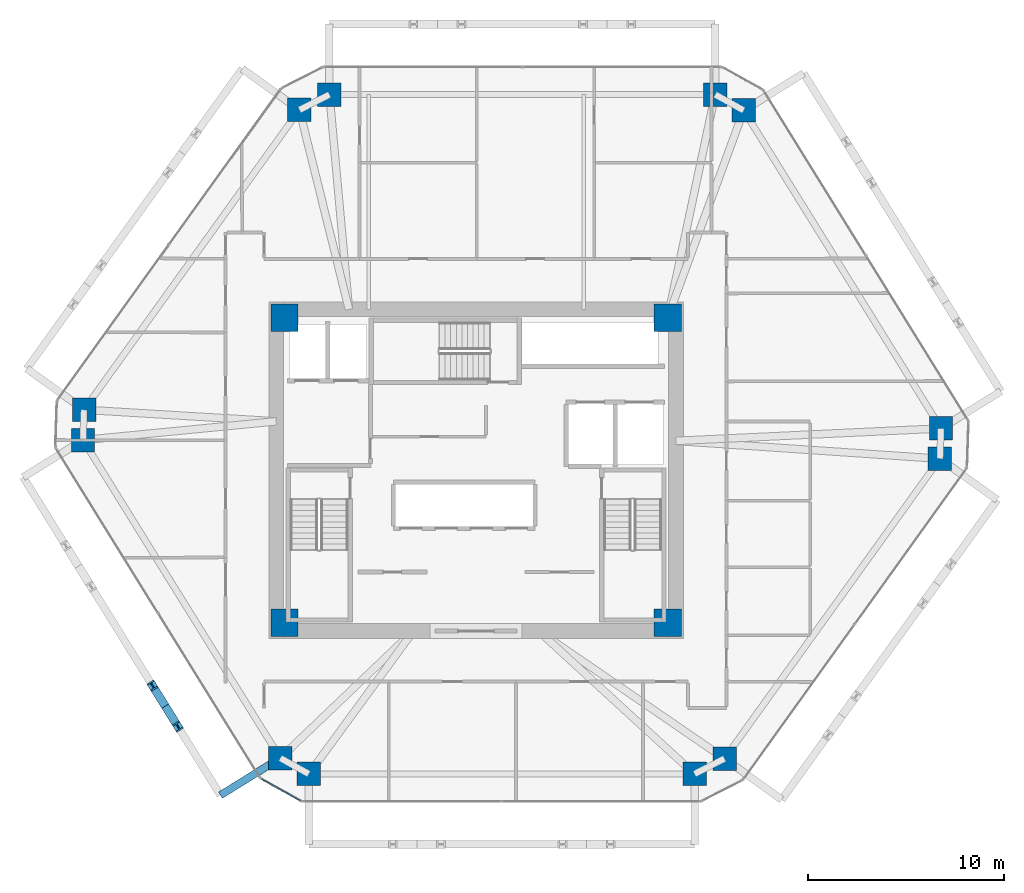
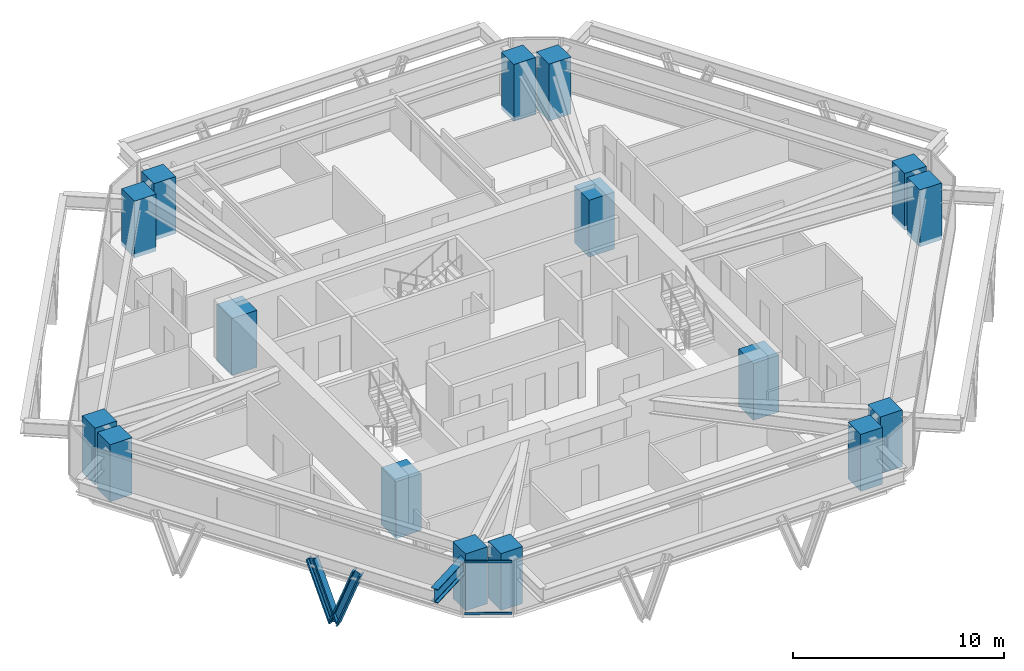
# One storey, part 1 of 14: 16 columns, 4 members, 1 beam, 1 element without a shape of its own.
"""IFC4 building model written with IfcOpenShell, lengths in metres."""

import ifcopenshell
import ifcopenshell.guid

model = None  # the IFC model being written
_history = None  # IfcOwnerHistory: only IFC2X3 demands one
_inside = {}  # id of a spatial element -> (the spatial element, [elements in it])
_under = {}  # id of a project, library or spatial element -> (it, [spatial elements below it])
_declared = {}  # id of a project -> (the project, [libraries it declares])
_typed = {}  # id of a type object -> (the type object, [elements of that type])
_made_of = {}  # id of a material, layer set ... -> (it, [elements and type objects made of it])


def new_model(schema):
    """Start an empty IFC model of exactly this schema.

    Asked for "IFC4X3", IfcOpenShell would pick the latest addendum, in which some entities
    have other attributes; the version numbers below select the first issue.
    IFC2X3 requires an IfcOwnerHistory on every rooted entity: one is made here for all.
    """
    global model, _history
    if schema == "IFC4X3":
        model = ifcopenshell.file(schema_version=(4, 3, 0, 0))
    else:
        model = ifcopenshell.file(schema=schema)
    _inside.clear()
    _under.clear()
    _declared.clear()
    _typed.clear()
    _made_of.clear()
    _history = None
    if model.schema == "IFC2X3":
        org = make("IfcOrganization", Name="unknown")
        user = make(
            "IfcPersonAndOrganization",
            ThePerson=make("IfcPerson", FamilyName="unknown"),
            TheOrganization=org,
        )
        app = make(
            "IfcApplication",
            ApplicationDeveloper=org,
            Version="unknown",
            ApplicationFullName="unknown",
            ApplicationIdentifier="unknown",
        )
        _history = make(
            "IfcOwnerHistory",
            OwningUser=user,
            OwningApplication=app,
            ChangeAction="ADDED",
            CreationDate=0,
        )
    return model


def make(cls, **values):
    """One entity of the class cls with the attributes given. An attribute that is None is left unset."""
    return model.create_entity(
        cls, **{name: value for name, value in values.items() if value is not None}
    )


def rooted(cls, **values):
    """An entity with a GlobalId (a new one), such as an element, a storey or a relation."""
    return make(cls, GlobalId=ifcopenshell.guid.new(), OwnerHistory=_history, **values)


def si_unit(unit_type, name, prefix=None):
    """IfcSIUnit, for example si_unit("LENGTHUNIT", "METRE", prefix="MILLI")."""
    return make("IfcSIUnit", UnitType=unit_type, Prefix=prefix, Name=name)


def assignment(units):
    """IfcUnitAssignment: the units of a project."""
    return None if units is None else make("IfcUnitAssignment", Units=units)


def point(xyz):
    """IfcCartesianPoint."""
    return None if xyz is None else make("IfcCartesianPoint", Coordinates=xyz)


def direction(xyz):
    """IfcDirection."""
    return None if xyz is None else make("IfcDirection", DirectionRatios=xyz)


def frame(location, z_axis=None, x_axis=None):
    """IfcAxis2Placement3D, a coordinate frame: its origin and axes. An axis left out is left unset."""
    return make(
        "IfcAxis2Placement3D",
        Location=point(location),
        Axis=direction(z_axis),
        RefDirection=direction(x_axis),
    )


def frame_2d(location, x_axis=None):
    """IfcAxis2Placement2D, a coordinate frame in the plane: its origin and x axis."""
    return make(
        "IfcAxis2Placement2D", Location=point(location), RefDirection=direction(x_axis)
    )


def origin():
    """The frame at (0, 0, 0) with its axes left unset."""
    return frame((0.0, 0.0, 0.0))


def origin_2d():
    """The frame at (0, 0) in the plane with its x axis left unset."""
    return frame_2d((0.0, 0.0))


def place(relative_to, where):
    """IfcLocalPlacement: puts the frame where relative to a parent placement (None: the world)."""
    return make(
        "IfcLocalPlacement", PlacementRelTo=relative_to, RelativePlacement=where
    )


def context(
    kind, dimensions, precision=None, world=None, true_north=None, identifier=None
):
    """IfcGeometricRepresentationContext, for example the 3D "Model" context."""
    return make(
        "IfcGeometricRepresentationContext",
        ContextIdentifier=identifier,
        ContextType=kind,
        CoordinateSpaceDimension=dimensions,
        Precision=precision,
        WorldCoordinateSystem=world,
        TrueNorth=true_north,
    )


def subcontext(parent, identifier, kind, view, scale=None):
    """IfcGeometricRepresentationSubContext, for example "Body" below "Model"."""
    return make(
        "IfcGeometricRepresentationSubContext",
        ContextIdentifier=identifier,
        ContextType=kind,
        ParentContext=parent,
        TargetScale=scale,
        TargetView=view,
    )


def project(units=None, contexts=None):
    """IfcProject with its units and contexts."""
    return rooted(
        "IfcProject",
        Name="project",
        RepresentationContexts=contexts,
        UnitsInContext=assignment(units),
    )


def spatial(cls, under=None, at=None, **own):
    """A site, building, storey or space (cls), placed at a placement, below another one or the project."""
    s = rooted(cls, ObjectPlacement=at, **own)
    if under is not None:
        _under.setdefault(under.id(), (under, []))[1].append(s)
    return s


def profile(cls, at=None, kind="AREA", **sizes):
    """A parametric profile (cls). Its sizes go by their IFC names, for example OverallWidth=200.0."""
    return make(cls, ProfileType=kind, Position=at, **sizes)


def rectangle(**sizes):
    """IfcRectangleProfileDef."""
    return profile("IfcRectangleProfileDef", **sizes)


def i_section(**sizes):
    """IfcIShapeProfileDef."""
    return profile("IfcIShapeProfileDef", **sizes)


def extrude(swept, where, along, depth):
    """IfcExtrudedAreaSolid: the profile swept, set in the frame where, extruded along a direction by depth."""
    return make(
        "IfcExtrudedAreaSolid",
        SweptArea=swept,
        Position=where,
        ExtrudedDirection=direction(along),
        Depth=depth,
    )


def shape(context_of_items, identifier, shape_type, items):
    """IfcShapeRepresentation: the items that make up one representation, for example the "Body"."""
    return make(
        "IfcShapeRepresentation",
        ContextOfItems=context_of_items,
        RepresentationIdentifier=identifier,
        RepresentationType=shape_type,
        Items=items,
    )


def source(mapping_origin, context_of_items, identifier, shape_type, items):
    """IfcRepresentationMap: a shape defined once, which mapped items show again and again."""
    return make(
        "IfcRepresentationMap",
        MappingOrigin=mapping_origin,
        MappedRepresentation=shape(context_of_items, identifier, shape_type, items),
    )


def transform(
    local_origin,
    x_axis=None,
    y_axis=None,
    z_axis=None,
    scale=None,
    scale2=None,
    scale3=None,
    uniform=True,
):
    """IfcCartesianTransformationOperator3D, or its non-uniform kind. x_axis, y_axis, z_axis: its Axis1, 2, 3."""
    if uniform:
        return make(
            "IfcCartesianTransformationOperator3D",
            Axis1=direction(x_axis),
            Axis2=direction(y_axis),
            LocalOrigin=point(local_origin),
            Scale=scale,
            Axis3=direction(z_axis),
        )
    return make(
        "IfcCartesianTransformationOperator3DnonUniform",
        Axis1=direction(x_axis),
        Axis2=direction(y_axis),
        LocalOrigin=point(local_origin),
        Scale=scale,
        Axis3=direction(z_axis),
        Scale2=scale2,
        Scale3=scale3,
    )


def mapped(mapping_source, mapping_target):
    """IfcMappedItem: shows the shape of a source again, moved by a transform."""
    return make(
        "IfcMappedItem", MappingSource=mapping_source, MappingTarget=mapping_target
    )


def material(Name=None, Category=None):
    """IfcMaterial."""
    return make("IfcMaterial", Name=Name, Category=Category)


def layer(
    of_material, thickness, ventilated=None, Name=None, Category=None, Priority=None
):
    """IfcMaterialLayer: one layer of a wall or slab, of a material (None: an air gap)."""
    return make(
        "IfcMaterialLayer",
        Material=of_material,
        LayerThickness=thickness,
        IsVentilated=ventilated,
        Name=Name,
        Category=Category,
        Priority=Priority,
    )


def layer_set(layers, Name=None):
    """IfcMaterialLayerSet."""
    return make("IfcMaterialLayerSet", MaterialLayers=layers, LayerSetName=Name)


def material_profile(
    of_material, cross_section, Name=None, Category=None, Priority=None
):
    """IfcMaterialProfile: a cross section and its material."""
    return make(
        "IfcMaterialProfile",
        Name=Name,
        Material=of_material,
        Profile=cross_section,
        Priority=Priority,
        Category=Category,
    )


def profile_set(profiles, Name=None, composite=None):
    """IfcMaterialProfileSet."""
    return make(
        "IfcMaterialProfileSet",
        Name=Name,
        MaterialProfiles=profiles,
        CompositeProfile=composite,
    )


def made_of(thing, what):
    """Note that an element or type object is made of a material, layer set ...; save() writes the relation."""
    if what is not None:
        _made_of.setdefault(what.id(), (what, []))[1].append(thing)
    return thing


def type_object(cls, material=None, **own):
    """A type object (cls), such as IfcWallType, which elements share."""
    return made_of(rooted(cls, **own), material)


def type_shapes(of_type, sources):
    """Give a type object the sources (RepresentationMaps) that its elements show as mapped items."""
    of_type.RepresentationMaps = sources


def element(
    cls,
    number,
    at=None,
    inside=None,
    cuts=None,
    type_object=None,
    material=None,
    context=None,
    identifier="Body",
    shape_type=None,
    held_by="IfcProductDefinitionShape",
    body=None,
    shapes=None,
    **own,
):
    """One element of the class cls, such as IfcWall. Its Tag is "e" and its number.

    at: its placement. inside: the storey or other place that contains it. cuts: it is an
    opening in that element (IfcRelVoidsElement). A single representation is given by context,
    identifier, shape_type and body (its items); several are given by shapes. held_by: the class
    of the entity that holds the representations. save() writes the other relations.
    """
    e = rooted(cls, Tag="e%d" % number, ObjectPlacement=at, **own)
    if body is not None:
        shapes = [shape(context, identifier, shape_type, body)]
    if shapes is not None:
        e.Representation = make(held_by, Representations=shapes)
    if inside is not None:
        _inside.setdefault(inside.id(), (inside, []))[1].append(e)
    if cuts is not None:
        rooted(
            "IfcRelVoidsElement", RelatingBuildingElement=cuts, RelatedOpeningElement=e
        )
    if type_object is not None:
        _typed.setdefault(type_object.id(), (type_object, []))[1].append(e)
    return made_of(e, material)


def aggregate(whole, parts):
    """IfcRelAggregates: a whole, such as a stair, and the parts it consists of."""
    return rooted("IfcRelAggregates", RelatingObject=whole, RelatedObjects=parts)


def save(model, path):
    """Write the relations noted so far, then the file.

    IfcRelAggregates (storeys below a building ...), IfcRelContainedInSpatialStructure (elements
    in a storey), IfcRelDefinesByType, IfcRelAssociatesMaterial and IfcRelDeclares: one each for
    every whole, place, type object, material and project.
    """
    for whole, parts in _under.values():
        aggregate(whole, parts)
    for where, things in _inside.values():
        rooted(
            "IfcRelContainedInSpatialStructure",
            RelatedElements=things,
            RelatingStructure=where,
        )
    for kind, things in _typed.values():
        rooted("IfcRelDefinesByType", RelatedObjects=things, RelatingType=kind)
    for what, things in _made_of.values():
        rooted("IfcRelAssociatesMaterial", RelatedObjects=things, RelatingMaterial=what)
    for by, libraries in _declared.values():
        rooted("IfcRelDeclares", RelatingContext=by, RelatedDefinitions=libraries)
    model.write(path)


model = new_model("IFC4")

# Units and contexts
model_context = context("Model", 3, precision=1e-05, world=origin(), true_north=direction((0.0, 1.0)))
body_context = subcontext(model_context, "Body", "Model", "MODEL_VIEW")
ifc_project = project(units=[si_unit("LENGTHUNIT", "METRE"), si_unit("AREAUNIT", "SQUARE_METRE"), si_unit("VOLUMEUNIT", "CUBIC_METRE"), si_unit("PLANEANGLEUNIT", "RADIAN"), si_unit("MASSUNIT", "GRAM", prefix="KILO")], contexts=[model_context])

# Site, building, storey
site_placement = place(None, origin())
site = spatial("IfcSite", under=ifc_project, at=site_placement, CompositionType="ELEMENT")
building_placement = place(site_placement, origin())
building = spatial("IfcBuilding", under=site, at=building_placement, Name="Durnholm Broadcast Tower", CompositionType="ELEMENT")
storey_placement = place(building_placement, frame((0.0, 0.0, 114.0)))
storey = spatial("IfcBuildingStorey", under=building, at=storey_placement, Name="L30", CompositionType="ELEMENT", Elevation=114.0)

# Columns
ifc_material_1 = material(Name="Concrete C70/85", Category="concrete")
ifc_material_profile_1 = material_profile(ifc_material_1, rectangle(XDim=1.39990234375, YDim=1.39990234375, at=origin_2d()), Name="RC1400X1400")
ifc_profile_set_1 = profile_set([ifc_material_profile_1], Name="Concrete C70/85")
column_type_1 = type_object("IfcColumnType", Name="COL-CC-1400", PredefinedType="COLUMN", material=ifc_profile_set_1)
shared_shape_1 = source(origin(), body_context, "Body", "SweptSolid", [
    extrude(rectangle(XDim=1.39990234375, YDim=1.39990234375, at=origin_2d()), origin(), (0.0, 0.0, 1.0), 3.300048828125),
])
type_shapes(column_type_1, [shared_shape_1])
for number, where, z_axis, x_axis, name in (
    (1, (-9.800048828125, -7.800048828125, -0.239990234375), (0.0, 0.0, 1.0), (1.0, 0.0, 0.0), "L30 core corner column 1"),
    (2, (9.800048828125, -7.800048828125, -0.239990234375), (0.0, 0.0, 1.0), (1.0, 0.0, 0.0), "L30 core corner column 2"),
    (3, (9.800048828125, 7.800048828125, -0.239990234375), (0.0, 0.0, 1.0), (1.0, 0.0, 0.0), "L30 core corner column 3"),
    (4, (-9.800048828125, 7.800048828125, -0.239990234375), (0.0, 0.0, 1.0), (1.0, 0.0, 0.0), "L30 core corner column 4"),
):
    element("IfcColumn", number, at=place(storey_placement, frame(where, z_axis=z_axis, x_axis=x_axis)), inside=storey, type_object=column_type_1, Name=name, PredefinedType="COLUMN", context=body_context, shape_type="MappedRepresentation", body=[
        mapped(shared_shape_1, transform((0.0, 0.0, 0.0), x_axis=(1.0, 0.0, 0.0), y_axis=(0.0, 1.0, 0.0), z_axis=(0.0, 0.0, 1.0), scale=1.0)),
    ])
ifc_material_profile_2 = material_profile(ifc_material_1, rectangle(XDim=1.199951171875, YDim=1.199951171875, at=origin_2d()), Name="RC1200X1200")
ifc_profile_set_2 = profile_set([ifc_material_profile_2], Name="Concrete C70/85")
column_type_2 = type_object("IfcColumnType", Name="COL-CC-1200", PredefinedType="COLUMN", material=ifc_profile_set_2)
shared_shape_2 = source(origin(), body_context, "Body", "SweptSolid", [
    extrude(rectangle(XDim=1.199951171875, YDim=1.199951171875, at=origin_2d()), origin(), (0.0, 0.0, 1.0), 3.300048828125),
])
type_shapes(column_type_2, [shared_shape_2])
for number, where, z_axis, x_axis, name in (
    (5, (-10.01416015625, -14.723388671875, -0.239990234375), (0.0, 0.0, 1.0), (1.0, 0.0, 0.0), "L30 perimeter hexagonal tube column 01"),
    (6, (-20.102783203125, 1.54150390625, -0.239990234375), (0.0, 0.0, 1.0), (1.0, 0.0, 0.0), "L30 perimeter hexagonal tube column 02"),
    (7, (-20.050048828125, 3.091064453125, -0.239990234375), (0.0, 0.0, 1.0), (1.0, 0.0, 0.0), "L30 perimeter hexagonal tube column 03"),
    (8, (-9.031982421875, 18.42822265625, -0.239990234375), (0.0, 0.0, 1.0), (1.0, 0.0, 0.0), "L30 perimeter hexagonal tube column 04"),
    (9, (-7.498046875, 19.215087890625, -0.239990234375), (0.0, 0.0, 1.0), (1.0, 0.0, 0.0), "L30 perimeter hexagonal tube column 05"),
    (10, (12.22998046875, 19.215087890625, -0.239990234375), (0.0, 0.0, 1.0), (1.0, 0.0, 0.0), "L30 perimeter hexagonal tube column 06"),
    (11, (13.692138671875, 18.4013671875, -0.239990234375), (0.0, 0.0, 1.0), (1.0, 0.0, 0.0), "L30 perimeter hexagonal tube column 07"),
    (12, (23.78076171875, 2.13671875, -0.239990234375), (0.0, 0.0, 1.0), (1.0, 0.0, 0.0), "L30 perimeter hexagonal tube column 08"),
    (13, (23.72802734375, 0.5869140625, -0.239990234375), (0.0, 0.0, 1.0), (1.0, 0.0, 0.0), "L30 perimeter hexagonal tube column 09"),
    (14, (12.7099609375, -14.750244140625, -0.239990234375), (0.0, 0.0, 1.0), (1.0, 0.0, 0.0), "L30 perimeter hexagonal tube column 10"),
    (15, (11.176025390625, -15.537109375, -0.239990234375), (0.0, 0.0, 1.0), (1.0, 0.0, 0.0), "L30 perimeter hexagonal tube column 11"),
    (16, (-8.552001953125, -15.537109375, -0.239990234375), (0.0, 0.0, 1.0), (1.0, 0.0, 0.0), "L30 perimeter hexagonal tube column 12"),
):
    element("IfcColumn", number, at=place(storey_placement, frame(where, z_axis=z_axis, x_axis=x_axis)), inside=storey, type_object=column_type_2, Name=name, PredefinedType="COLUMN", context=body_context, shape_type="MappedRepresentation", body=[
        mapped(shared_shape_2, transform((0.0, 0.0, 0.0), x_axis=(1.0, 0.0, 0.0), y_axis=(0.0, 1.0, 0.0), z_axis=(0.0, 0.0, 1.0), scale=1.0)),
    ])

# Beam
ifc_material_2 = material(Name="Steel ASTM A992 Grade 50", Category="steel")
ifc_material_profile_3 = material_profile(ifc_material_2, i_section(OverallWidth=0.385009765625, OverallDepth=0.802978515625, WebThickness=0.023681640625, FlangeThickness=0.0419921875, FilletRadius=0.032958984375, at=origin_2d()), Name="W30X261")
ifc_profile_set_3 = profile_set([ifc_material_profile_3], Name="Steel ASTM A992 Grade 50")
beam_type = type_object("IfcBeamType", Name="BM-EXO-TIE", PredefinedType="USERDEFINED", material=ifc_profile_set_3)
shared_shape_3 = source(origin(), body_context, "Body", "SweptSolid", [
    extrude(i_section(OverallWidth=0.385009765625, OverallDepth=0.802978515625, WebThickness=0.023681640625, FlangeThickness=0.0419921875, FilletRadius=0.032958984375, at=origin_2d()), origin(), (0.0, 0.0, 1.0), 3.455810546875),
])
type_shapes(beam_type, [shared_shape_3])
beam_placement = place(storey_placement, frame((-10.13671875, -14.79931640625, 2.30859375), z_axis=(-0.849807128357, -0.527093772107, 0.0), x_axis=(0.527093772107, -0.849807128357, 0.0)))
element("IfcBeam", 17, at=beam_placement, inside=storey, type_object=beam_type, Name="L30 exoskeleton stand-off tie bracket F6.2", ObjectType="GIRDER", PredefinedType="USERDEFINED", context=body_context, shape_type="MappedRepresentation", body=[
    mapped(shared_shape_3, transform((0.0, 0.0, 0.0), x_axis=(1.0, 0.0, 0.0), y_axis=(0.0, 1.0, 0.0), z_axis=(0.0, 0.0, 1.0), scale=1.0)),
])

# Members
ifc_material_3 = material(Name="Steel ASTM A913 Grade 65", Category="steel")
ifc_material_profile_4 = material_profile(ifc_material_3, i_section(OverallWidth=0.424072265625, OverallDepth=0.47412109375, WebThickness=0.047607421875, FlangeThickness=0.0771484375, FilletRadius=0.030517578125, at=origin_2d()), Name="W14X426")
ifc_profile_set_4 = profile_set([ifc_material_profile_4], Name="Steel ASTM A913 Grade 65")
member_type_1 = type_object("IfcMemberType", Name="STL-DG-W14X426", PredefinedType="BRACE", material=ifc_profile_set_4)
shared_shape_4 = source(origin(), body_context, "Body", "SweptSolid", [
    extrude(i_section(OverallWidth=0.424072265625, OverallDepth=0.47412109375, WebThickness=0.047607421875, FlangeThickness=0.0771484375, FilletRadius=0.030517578125, at=origin_2d()), origin(), (0.0, 0.0, 1.0), 3.523193359375),
])
type_shapes(member_type_1, [shared_shape_4])
for number, where, z_axis, x_axis, name in (
    (18, (-15.898193359375, -12.066650390625, -0.991455078125), (-0.184606642766, 0.297560406921, 0.936684681032), (-0.849750220063, -0.527185511469, 0.0), "L30 stand-off diagrid brace F6.D2.1"),
    (19, (-15.898193359375, -12.066650390625, -0.991455078125), (0.184602835855, -0.297623566065, 0.936665364961), (0.849805205368, 0.527096872433, 0.0), "L30 stand-off diagrid brace F6.D2.2"),
):
    element("IfcMember", number, at=place(storey_placement, frame(where, z_axis=z_axis, x_axis=x_axis)), inside=storey, type_object=member_type_1, Name=name, PredefinedType="BRACE", context=body_context, shape_type="MappedRepresentation", body=[
        mapped(shared_shape_4, transform((0.0, 0.0, 0.0), x_axis=(1.0, 0.0, 0.0), y_axis=(0.0, 1.0, 0.0), z_axis=(0.0, 0.0, 1.0), scale=1.0)),
    ])

# Curtain wall, members
ifc_material_4 = material(Name="Aluminium and Solar Control IGU", Category="aluminium")
ifc_layer = layer(ifc_material_4, 0.1650390625)
ifc_layer_set = layer_set([ifc_layer], Name="Aluminium and Solar Control IGU")
curtain_wall_type = type_object("IfcCurtainWallType", Name="CW-SYS-5", PredefinedType="NOTDEFINED", material=ifc_layer_set)
curtain_wall_placement = place(storey_placement, origin())
curtain_wall = element("IfcCurtainWall", 20, at=curtain_wall_placement, inside=storey, type_object=curtain_wall_type, Name="L30 curtain wall CW-CORNER CW-L30-CRN-11", PredefinedType="NOTDEFINED")
ifc_material_5 = material(Name="Aluminium 6063-T6", Category="aluminium")
ifc_material_profile_5 = material_profile(ifc_material_5, rectangle(XDim=0.06494140625, YDim=0.1298828125, at=origin_2d()), Name="CWT65X130")
ifc_profile_set_5 = profile_set([ifc_material_profile_5], Name="Aluminium 6063-T6")
member_type_2 = type_object("IfcMemberType", Name="CW-SYS-5-TRN", PredefinedType="USERDEFINED", material=ifc_profile_set_5)
shared_shape_5 = source(origin(), body_context, "Body", "SweptSolid", [
    extrude(rectangle(XDim=0.06494140625, YDim=0.1298828125, at=origin_2d()), origin(), (0.0, 0.0, 1.0), 2.27001953125),
])
type_shapes(member_type_2, [shared_shape_5])
member_1_placement = place(storey_placement, frame((-8.971923828125, -16.9052734375, 0.032470703125), z_axis=(-0.873832405737, 0.486227237703, 0.0), x_axis=(-0.486227237703, -0.873832405737, 0.0)))
member_1 = element("IfcMember", 21, at=member_1_placement, type_object=member_type_2, Name="CW-CORNER transom 1.1", ObjectType="TRANSOM", PredefinedType="USERDEFINED", context=body_context, shape_type="MappedRepresentation", body=[
    mapped(shared_shape_5, transform((0.0, 0.0, 0.0), x_axis=(1.0, 0.0, 0.0), y_axis=(0.0, 1.0, 0.0), z_axis=(0.0, 0.0, 1.0), scale=1.0)),
])
member_2_placement = place(storey_placement, frame((-8.971923828125, -16.9052734375, 3.027587890625), z_axis=(-0.873832405737, 0.486227237703, 0.0), x_axis=(-0.486227237703, -0.873832405737, 0.0)))
member_2 = element("IfcMember", 22, at=member_2_placement, type_object=member_type_2, Name="CW-CORNER transom 1.2", ObjectType="TRANSOM", PredefinedType="USERDEFINED", context=body_context, shape_type="MappedRepresentation", body=[
    mapped(shared_shape_5, transform((0.0, 0.0, 0.0), x_axis=(1.0, 0.0, 0.0), y_axis=(0.0, 1.0, 0.0), z_axis=(0.0, 0.0, 1.0), scale=1.0)),
])
aggregate(curtain_wall, [member_1, member_2])

save(model, "model.ifc")
